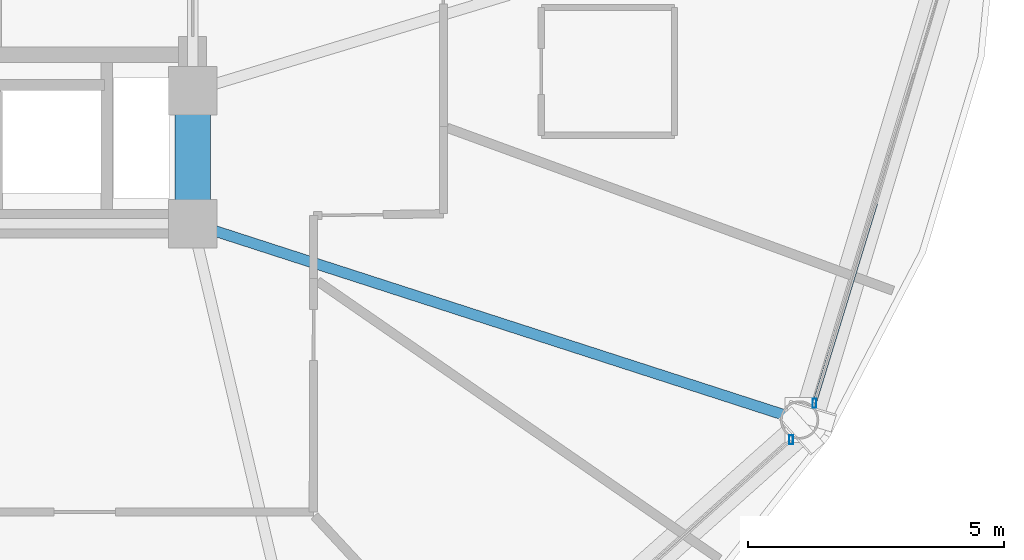
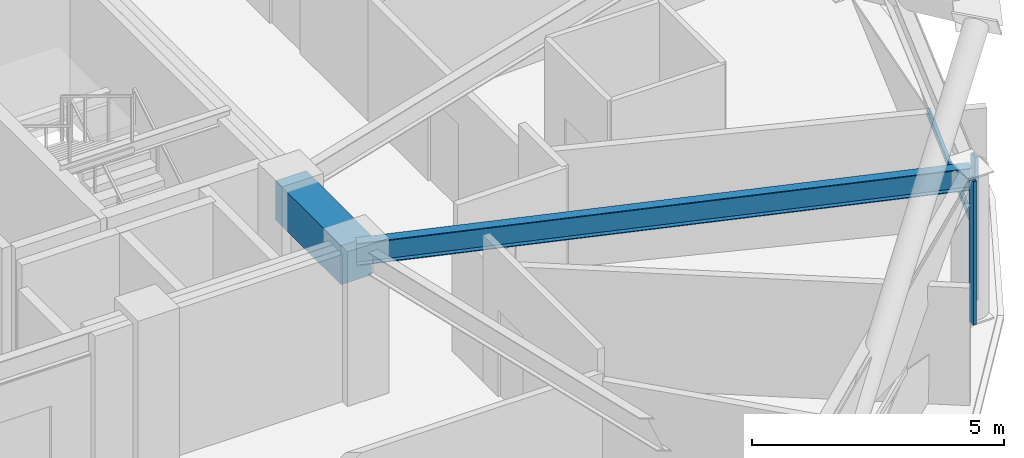
# One storey, part 10 of 29: 3 members, 2 beams, 2 elements without a shape of their own.
"""IFC4 building model written with IfcOpenShell, lengths in metres."""

import ifcopenshell
import ifcopenshell.guid

model = None  # the IFC model being written
_history = None  # IfcOwnerHistory: only IFC2X3 demands one
_inside = {}  # id of a spatial element -> (the spatial element, [elements in it])
_under = {}  # id of a project, library or spatial element -> (it, [spatial elements below it])
_declared = {}  # id of a project -> (the project, [libraries it declares])
_typed = {}  # id of a type object -> (the type object, [elements of that type])
_made_of = {}  # id of a material, layer set ... -> (it, [elements and type objects made of it])


def new_model(schema):
    """Start an empty IFC model of exactly this schema.

    Asked for "IFC4X3", IfcOpenShell would pick the latest addendum, in which some entities
    have other attributes; the version numbers below select the first issue.
    IFC2X3 requires an IfcOwnerHistory on every rooted entity: one is made here for all.
    """
    global model, _history
    if schema == "IFC4X3":
        model = ifcopenshell.file(schema_version=(4, 3, 0, 0))
    else:
        model = ifcopenshell.file(schema=schema)
    _inside.clear()
    _under.clear()
    _declared.clear()
    _typed.clear()
    _made_of.clear()
    _history = None
    if model.schema == "IFC2X3":
        org = make("IfcOrganization", Name="unknown")
        user = make(
            "IfcPersonAndOrganization",
            ThePerson=make("IfcPerson", FamilyName="unknown"),
            TheOrganization=org,
        )
        app = make(
            "IfcApplication",
            ApplicationDeveloper=org,
            Version="unknown",
            ApplicationFullName="unknown",
            ApplicationIdentifier="unknown",
        )
        _history = make(
            "IfcOwnerHistory",
            OwningUser=user,
            OwningApplication=app,
            ChangeAction="ADDED",
            CreationDate=0,
        )
    return model


def make(cls, **values):
    """One entity of the class cls with the attributes given. An attribute that is None is left unset."""
    return model.create_entity(
        cls, **{name: value for name, value in values.items() if value is not None}
    )


def rooted(cls, **values):
    """An entity with a GlobalId (a new one), such as an element, a storey or a relation."""
    return make(cls, GlobalId=ifcopenshell.guid.new(), OwnerHistory=_history, **values)


def si_unit(unit_type, name, prefix=None):
    """IfcSIUnit, for example si_unit("LENGTHUNIT", "METRE", prefix="MILLI")."""
    return make("IfcSIUnit", UnitType=unit_type, Prefix=prefix, Name=name)


def assignment(units):
    """IfcUnitAssignment: the units of a project."""
    return None if units is None else make("IfcUnitAssignment", Units=units)


def point(xyz):
    """IfcCartesianPoint."""
    return None if xyz is None else make("IfcCartesianPoint", Coordinates=xyz)


def direction(xyz):
    """IfcDirection."""
    return None if xyz is None else make("IfcDirection", DirectionRatios=xyz)


def frame(location, z_axis=None, x_axis=None):
    """IfcAxis2Placement3D, a coordinate frame: its origin and axes. An axis left out is left unset."""
    return make(
        "IfcAxis2Placement3D",
        Location=point(location),
        Axis=direction(z_axis),
        RefDirection=direction(x_axis),
    )


def frame_2d(location, x_axis=None):
    """IfcAxis2Placement2D, a coordinate frame in the plane: its origin and x axis."""
    return make(
        "IfcAxis2Placement2D", Location=point(location), RefDirection=direction(x_axis)
    )


def origin():
    """The frame at (0, 0, 0) with its axes left unset."""
    return frame((0.0, 0.0, 0.0))


def origin_2d():
    """The frame at (0, 0) in the plane with its x axis left unset."""
    return frame_2d((0.0, 0.0))


def place(relative_to, where):
    """IfcLocalPlacement: puts the frame where relative to a parent placement (None: the world)."""
    return make(
        "IfcLocalPlacement", PlacementRelTo=relative_to, RelativePlacement=where
    )


def context(
    kind, dimensions, precision=None, world=None, true_north=None, identifier=None
):
    """IfcGeometricRepresentationContext, for example the 3D "Model" context."""
    return make(
        "IfcGeometricRepresentationContext",
        ContextIdentifier=identifier,
        ContextType=kind,
        CoordinateSpaceDimension=dimensions,
        Precision=precision,
        WorldCoordinateSystem=world,
        TrueNorth=true_north,
    )


def subcontext(parent, identifier, kind, view, scale=None):
    """IfcGeometricRepresentationSubContext, for example "Body" below "Model"."""
    return make(
        "IfcGeometricRepresentationSubContext",
        ContextIdentifier=identifier,
        ContextType=kind,
        ParentContext=parent,
        TargetScale=scale,
        TargetView=view,
    )


def project(units=None, contexts=None):
    """IfcProject with its units and contexts."""
    return rooted(
        "IfcProject",
        Name="project",
        RepresentationContexts=contexts,
        UnitsInContext=assignment(units),
    )


def spatial(cls, under=None, at=None, **own):
    """A site, building, storey or space (cls), placed at a placement, below another one or the project."""
    s = rooted(cls, ObjectPlacement=at, **own)
    if under is not None:
        _under.setdefault(under.id(), (under, []))[1].append(s)
    return s


def profile(cls, at=None, kind="AREA", **sizes):
    """A parametric profile (cls). Its sizes go by their IFC names, for example OverallWidth=200.0."""
    return make(cls, ProfileType=kind, Position=at, **sizes)


def rectangle(**sizes):
    """IfcRectangleProfileDef."""
    return profile("IfcRectangleProfileDef", **sizes)


def hollow_rectangle(**sizes):
    """IfcRectangleHollowProfileDef."""
    return profile("IfcRectangleHollowProfileDef", **sizes)


def i_section(**sizes):
    """IfcIShapeProfileDef."""
    return profile("IfcIShapeProfileDef", **sizes)


def extrude(swept, where, along, depth):
    """IfcExtrudedAreaSolid: the profile swept, set in the frame where, extruded along a direction by depth."""
    return make(
        "IfcExtrudedAreaSolid",
        SweptArea=swept,
        Position=where,
        ExtrudedDirection=direction(along),
        Depth=depth,
    )


def shape(context_of_items, identifier, shape_type, items):
    """IfcShapeRepresentation: the items that make up one representation, for example the "Body"."""
    return make(
        "IfcShapeRepresentation",
        ContextOfItems=context_of_items,
        RepresentationIdentifier=identifier,
        RepresentationType=shape_type,
        Items=items,
    )


def material(Name=None, Category=None):
    """IfcMaterial."""
    return make("IfcMaterial", Name=Name, Category=Category)


def layer(
    of_material, thickness, ventilated=None, Name=None, Category=None, Priority=None
):
    """IfcMaterialLayer: one layer of a wall or slab, of a material (None: an air gap)."""
    return make(
        "IfcMaterialLayer",
        Material=of_material,
        LayerThickness=thickness,
        IsVentilated=ventilated,
        Name=Name,
        Category=Category,
        Priority=Priority,
    )


def layer_set(layers, Name=None):
    """IfcMaterialLayerSet."""
    return make("IfcMaterialLayerSet", MaterialLayers=layers, LayerSetName=Name)


def material_profile(
    of_material, cross_section, Name=None, Category=None, Priority=None
):
    """IfcMaterialProfile: a cross section and its material."""
    return make(
        "IfcMaterialProfile",
        Name=Name,
        Material=of_material,
        Profile=cross_section,
        Priority=Priority,
        Category=Category,
    )


def profile_set(profiles, Name=None, composite=None):
    """IfcMaterialProfileSet."""
    return make(
        "IfcMaterialProfileSet",
        Name=Name,
        MaterialProfiles=profiles,
        CompositeProfile=composite,
    )


def made_of(thing, what):
    """Note that an element or type object is made of a material, layer set ...; save() writes the relation."""
    if what is not None:
        _made_of.setdefault(what.id(), (what, []))[1].append(thing)
    return thing


def type_object(cls, material=None, **own):
    """A type object (cls), such as IfcWallType, which elements share."""
    return made_of(rooted(cls, **own), material)


def element(
    cls,
    number,
    at=None,
    inside=None,
    cuts=None,
    type_object=None,
    material=None,
    context=None,
    identifier="Body",
    shape_type=None,
    held_by="IfcProductDefinitionShape",
    body=None,
    shapes=None,
    **own,
):
    """One element of the class cls, such as IfcWall. Its Tag is "e" and its number.

    at: its placement. inside: the storey or other place that contains it. cuts: it is an
    opening in that element (IfcRelVoidsElement). A single representation is given by context,
    identifier, shape_type and body (its items); several are given by shapes. held_by: the class
    of the entity that holds the representations. save() writes the other relations.
    """
    e = rooted(cls, Tag="e%d" % number, ObjectPlacement=at, **own)
    if body is not None:
        shapes = [shape(context, identifier, shape_type, body)]
    if shapes is not None:
        e.Representation = make(held_by, Representations=shapes)
    if inside is not None:
        _inside.setdefault(inside.id(), (inside, []))[1].append(e)
    if cuts is not None:
        rooted(
            "IfcRelVoidsElement", RelatingBuildingElement=cuts, RelatedOpeningElement=e
        )
    if type_object is not None:
        _typed.setdefault(type_object.id(), (type_object, []))[1].append(e)
    return made_of(e, material)


def aggregate(whole, parts):
    """IfcRelAggregates: a whole, such as a stair, and the parts it consists of."""
    return rooted("IfcRelAggregates", RelatingObject=whole, RelatedObjects=parts)


def save(model, path):
    """Write the relations noted so far, then the file.

    IfcRelAggregates (storeys below a building ...), IfcRelContainedInSpatialStructure (elements
    in a storey), IfcRelDefinesByType, IfcRelAssociatesMaterial and IfcRelDeclares: one each for
    every whole, place, type object, material and project.
    """
    for whole, parts in _under.values():
        aggregate(whole, parts)
    for where, things in _inside.values():
        rooted(
            "IfcRelContainedInSpatialStructure",
            RelatedElements=things,
            RelatingStructure=where,
        )
    for kind, things in _typed.values():
        rooted("IfcRelDefinesByType", RelatedObjects=things, RelatingType=kind)
    for what, things in _made_of.values():
        rooted("IfcRelAssociatesMaterial", RelatedObjects=things, RelatingMaterial=what)
    for by, libraries in _declared.values():
        rooted("IfcRelDeclares", RelatingContext=by, RelatedDefinitions=libraries)
    model.write(path)


model = new_model("IFC4")

# Units and contexts
model_context = context("Model", 3, precision=1e-05, world=origin(), true_north=direction((0.0, 1.0)))
body_context = subcontext(model_context, "Body", "Model", "MODEL_VIEW")
ifc_project = project(units=[si_unit("LENGTHUNIT", "METRE"), si_unit("AREAUNIT", "SQUARE_METRE"), si_unit("VOLUMEUNIT", "CUBIC_METRE"), si_unit("PLANEANGLEUNIT", "RADIAN"), si_unit("MASSUNIT", "GRAM", prefix="KILO")], contexts=[model_context])

# Site, building, storey
site_placement = place(None, origin())
site = spatial("IfcSite", under=ifc_project, at=site_placement, CompositionType="ELEMENT")
building_placement = place(site_placement, origin())
building = spatial("IfcBuilding", under=site, at=building_placement, Name="Vantalir Tower", CompositionType="ELEMENT")
storey_placement = place(building_placement, frame((0.0, 0.0, 149.699951171875)))
storey = spatial("IfcBuildingStorey", under=building, at=storey_placement, Name="L37", CompositionType="ELEMENT", Elevation=149.699951171875)

# Beams
ifc_material_1 = material(Name="Concrete C60/75", Category="concrete")
ifc_material_profile_1 = material_profile(ifc_material_1, rectangle(XDim=0.699951171875, YDim=0.949951171875, at=origin_2d()), Name="Concrete C60/75")
ifc_profile_set_1 = profile_set([ifc_material_profile_1], Name="Concrete C60/75")
beam_type_1 = type_object("IfcBeamType", Name="BM-CB-700x950", PredefinedType="USERDEFINED", material=ifc_profile_set_1)
beam_1_placement = place(storey_placement, frame((41.10009765625, 17.800048828125, 3.094970703125), z_axis=(0.0, 1.0, 0.0), x_axis=(-1.0, 0.0, 0.0)))
element("IfcBeam", 1, at=beam_1_placement, inside=storey, type_object=beam_type_1, Name="L37 Core Coupling Girder 05", ObjectType="GIRDER", PredefinedType="USERDEFINED", context=body_context, shape_type="SweptSolid", body=[
    extrude(rectangle(XDim=0.699951171875, YDim=0.949951171875, at=origin_2d()), origin(), (0.0, 0.0, 1.0), 2.599853515625),
])
ifc_material_2 = material(Name="Steel S355", Category="steel")
ifc_material_profile_2 = material_profile(ifc_material_2, i_section(OverallWidth=0.2109375, OverallDepth=0.5390625, WebThickness=0.01171875, FlangeThickness=0.018798828125, at=origin_2d()), Name="Steel S355")
ifc_profile_set_2 = profile_set([ifc_material_profile_2], Name="Steel S355")
beam_type_2 = type_object("IfcBeamType", Name="BM-RB-533x210", PredefinedType="BEAM", material=ifc_profile_set_2)
beam_2_placement = place(storey_placement, frame((52.962890625, 13.965087890625, 3.301025390625), z_axis=(-0.95151500296, 0.307602339298, 0.0), x_axis=(-0.307602339298, -0.95151500296, 0.0)))
element("IfcBeam", 2, at=beam_2_placement, inside=storey, type_object=beam_type_2, Name="L37 Radial Floor Beam 12", PredefinedType="BEAM", context=body_context, shape_type="SweptSolid", body=[
    extrude(i_section(OverallWidth=0.2109375, OverallDepth=0.5390625, WebThickness=0.01171875, FlangeThickness=0.018798828125, at=origin_2d()), origin(), (0.0, 0.0, 1.0), 12.46728515625),
])

# Curtain wall, member
ifc_material_3 = material(Name="Champagne-silver PVDF aluminium and double-silver Low-E glass", Category="aluminium")
ifc_layer = layer(ifc_material_3, 0.199951171875)
ifc_layer_set = layer_set([ifc_layer], Name="Champagne-silver PVDF aluminium and double-silver Low-E glass")
curtain_wall_type = type_object("IfcCurtainWallType", Name="CW-DIAMOND-Z2", PredefinedType="USERDEFINED", material=ifc_layer_set)
curtain_wall_1_placement = place(storey_placement, origin())
curtain_wall_1 = element("IfcCurtainWall", 3, at=curtain_wall_1_placement, inside=storey, type_object=curtain_wall_type, Name="L37 Quilted Pyramid-Diamond Curtain Wall S11", ObjectType="UNITISED CURTAIN WALL", PredefinedType="USERDEFINED")
ifc_material_4 = material(Name="Champagne-silver PVDF aluminium 6063-T6", Category="aluminium")
ifc_material_profile_3 = material_profile(ifc_material_4, hollow_rectangle(XDim=0.074951171875, YDim=0.179931640625, WallThickness=0.00390625, at=origin_2d()), Name="Champagne-silver PVDF aluminium 6063-T6")
ifc_profile_set_3 = profile_set([ifc_material_profile_3], Name="Champagne-silver PVDF aluminium 6063-T6")
member_type_1 = type_object("IfcMemberType", Name="CWM-180x75", PredefinedType="MULLION", material=ifc_profile_set_3)
member_1_placement = place(storey_placement, frame((52.799072265625, 13.576904296875, 0.045166015625), z_axis=(0.0, 0.0, 1.0), x_axis=(1.0, 0.0, 0.0)))
member_1 = element("IfcMember", 4, at=member_1_placement, type_object=member_type_1, Name="CW-L37-S11 Mullion 2", PredefinedType="MULLION", context=body_context, shape_type="SweptSolid", body=[
    extrude(hollow_rectangle(XDim=0.074951171875, YDim=0.179931640625, WallThickness=0.00390625, at=origin_2d()), origin(), (0.0, 0.0, 1.0), 3.47998046875),
])
aggregate(curtain_wall_1, [member_1])

# Curtain wall, members
curtain_wall_2_placement = place(storey_placement, origin())
curtain_wall_2 = element("IfcCurtainWall", 5, at=curtain_wall_2_placement, inside=storey, type_object=curtain_wall_type, Name="L37 Quilted Pyramid-Diamond Curtain Wall S12", ObjectType="UNITISED CURTAIN WALL", PredefinedType="USERDEFINED")
member_2_placement = place(storey_placement, frame((53.25390625, 14.291015625, 0.045166015625), z_axis=(0.0, 0.0, 1.0), x_axis=(1.0, 0.0, 0.0)))
member_2 = element("IfcMember", 6, at=member_2_placement, type_object=member_type_1, Name="CW-L37-S12 Mullion 1", PredefinedType="MULLION", context=body_context, shape_type="SweptSolid", body=[
    extrude(hollow_rectangle(XDim=0.074951171875, YDim=0.179931640625, WallThickness=0.00390625, at=origin_2d()), origin(), (0.0, 0.0, 1.0), 3.47998046875),
])
ifc_material_profile_4 = material_profile(ifc_material_4, hollow_rectangle(XDim=0.074951171875, YDim=0.159912109375, WallThickness=0.00390625, at=origin_2d()), Name="Champagne-silver PVDF aluminium 6063-T6")
ifc_profile_set_4 = profile_set([ifc_material_profile_4], Name="Champagne-silver PVDF aluminium 6063-T6")
member_type_2 = type_object("IfcMemberType", Name="CWT-160x75", PredefinedType="USERDEFINED", material=ifc_profile_set_4)
member_3_placement = place(storey_placement, frame((53.25390625, 14.291015625, 1.78515625), z_axis=(0.2934260675, 0.955981769131, 0.0), x_axis=(-0.955981769131, 0.2934260675, 0.0)))
member_3 = element("IfcMember", 7, at=member_3_placement, type_object=member_type_2, Name="CW-L37-S12 Pyramid Fold Ridge Transom", ObjectType="TRANSOM", PredefinedType="USERDEFINED", context=body_context, shape_type="SweptSolid", body=[
    extrude(hollow_rectangle(XDim=0.074951171875, YDim=0.159912109375, WallThickness=0.00390625, at=origin_2d()), origin(), (0.0, 0.0, 1.0), 4.082763671875),
])
aggregate(curtain_wall_2, [member_2, member_3])

save(model, "model.ifc")
